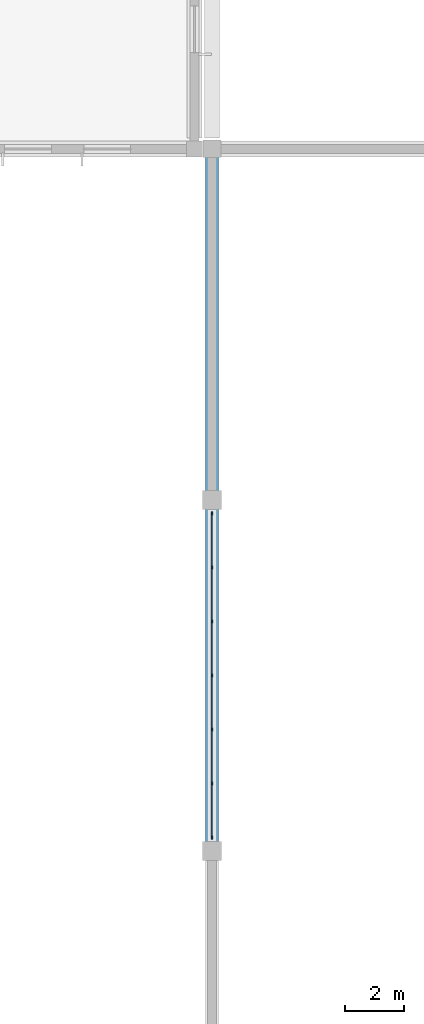
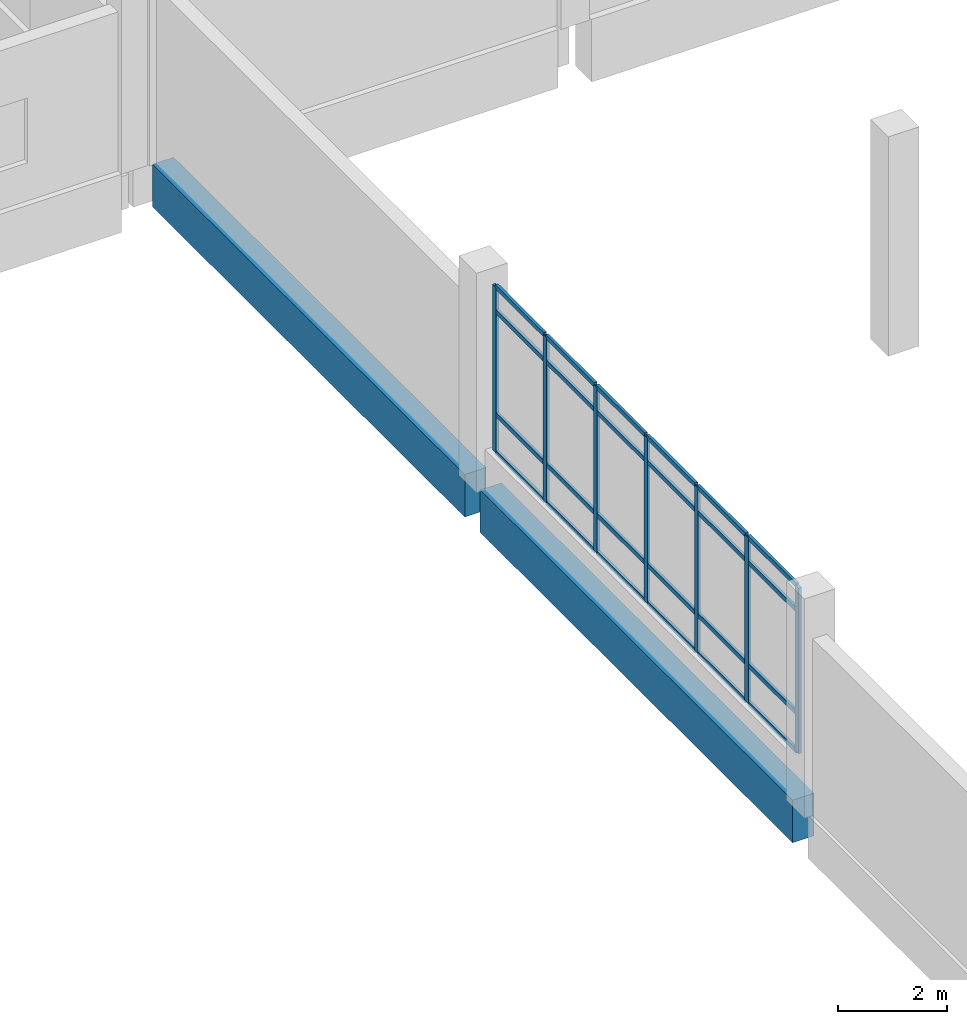
# One storey, part 13 of 63: 31 members, 2 beams, 1 element without a shape of its own.
"""IFC4 building model written with IfcOpenShell, lengths in metres."""

from ifc_helpers import new_model, si_unit, direction, frame, origin, origin_2d, place, context, subcontext, project, spatial, rectangle, extrude, material, layer, layer_set, material_profile, profile_set, type_object, element, aggregate, save


model = new_model("IFC4")

# Units and contexts
model_context = context("Model", 3, precision=1e-05, world=origin(), true_north=direction((0.0, 1.0)))
body_context = subcontext(model_context, "Body", "Model", "MODEL_VIEW")
ifc_project = project(units=[si_unit("LENGTHUNIT", "METRE"), si_unit("AREAUNIT", "SQUARE_METRE"), si_unit("VOLUMEUNIT", "CUBIC_METRE"), si_unit("PLANEANGLEUNIT", "RADIAN"), si_unit("MASSUNIT", "GRAM", prefix="KILO")], contexts=[model_context])

# Site, building, storey
site_placement = place(None, origin())
site = spatial("IfcSite", under=ifc_project, at=site_placement, CompositionType="ELEMENT")
building_placement = place(site_placement, origin())
building = spatial("IfcBuilding", under=site, at=building_placement, Name="Zacnel Wholesale Market", CompositionType="ELEMENT")
storey_placement = place(building_placement, frame((0.0, 0.0, 11.199951171875)))
storey = spatial("IfcBuildingStorey", under=building, at=storey_placement, Name="L03", CompositionType="ELEMENT", Elevation=11.199951171875)

# Beams
ifc_material_1 = material(Name="Precast concrete C45/55", Category="concrete")
ifc_material_profile_1 = material_profile(ifc_material_1, rectangle(XDim=0.449951171875, YDim=0.949951171875, at=origin_2d()), Name="PG 450x950")
ifc_profile_set_1 = profile_set([ifc_material_profile_1], Name="Precast concrete C45/55")
beam_type = type_object("IfcBeamType", Name="BM-PG950", PredefinedType="BEAM", material=ifc_profile_set_1)
for number, where, z_axis, x_axis, name in (
    (1, (144.300048828125, 108.280029296875, -0.474853515625), (0.0, 1.0, 0.0), (-1.0, 0.0, 0.0), "Crossing drum base girder Y-02"),
    (2, (144.300048828125, 120.280029296875, -0.474853515625), (0.0, 1.0, 0.0), (-1.0, 0.0, 0.0), "Crossing drum base girder Y-03"),
):
    element("IfcBeam", number, at=place(storey_placement, frame(where, z_axis=z_axis, x_axis=x_axis)), inside=storey, type_object=beam_type, Name=name, PredefinedType="BEAM", context=body_context, shape_type="SweptSolid", body=[
        extrude(rectangle(XDim=0.449951171875, YDim=0.949951171875, at=origin_2d()), origin(), (0.0, 0.0, 1.0), 11.43994140625),
    ])

# Curtain wall, members
ifc_material_2 = material(Name="Anodised aluminium", Category="aluminium")
ifc_layer = layer(ifc_material_2, 0.14990234375)
ifc_layer_set = layer_set([ifc_layer], Name="Anodised aluminium")
curtain_wall_type = type_object("IfcCurtainWallType", Name="CW-CLER-3600", PredefinedType="NOTDEFINED", material=ifc_layer_set)
curtain_wall_placement = place(storey_placement, origin())
curtain_wall = element("IfcCurtainWall", 3, at=curtain_wall_placement, inside=storey, type_object=curtain_wall_type, Name="Curtain wall ENV-CW-XDRUM-W-2", PredefinedType="NOTDEFINED")
ifc_material_3 = material(Name="Anodised aluminium", Category="aluminium")
ifc_material_profile_2 = material_profile(ifc_material_3, rectangle(XDim=0.06005859375, YDim=0.1298828125, at=origin_2d()), Name="AW-MULLION 60x130")
ifc_profile_set_2 = profile_set([ifc_material_profile_2], Name="Anodised aluminium")
member_type_1 = type_object("IfcMemberType", Name="CWM-MUL-06", PredefinedType="MULLION", material=ifc_profile_set_2)
member_1_placement = place(storey_placement, frame((144.300048828125, 108.4599609375, 0.900146484375), z_axis=(0.0, 0.0, 1.0), x_axis=(1.0, 0.0, 0.0)))
member_1 = element("IfcMember", 4, at=member_1_placement, type_object=member_type_1, Name="ENV-CW-XDRUM-W-2 mullion 01", PredefinedType="MULLION", context=body_context, shape_type="SweptSolid", body=[
    extrude(rectangle(XDim=0.06005859375, YDim=0.1298828125, at=origin_2d()), origin(), (0.0, 0.0, 1.0), 3.699951171875),
])
member_2_placement = place(storey_placement, frame((144.300048828125, 110.306640625, 0.900146484375), z_axis=(0.0, 0.0, 1.0), x_axis=(1.0, 0.0, 0.0)))
member_2 = element("IfcMember", 5, at=member_2_placement, type_object=member_type_1, Name="ENV-CW-XDRUM-W-2 mullion 02", PredefinedType="MULLION", context=body_context, shape_type="SweptSolid", body=[
    extrude(rectangle(XDim=0.06005859375, YDim=0.1298828125, at=origin_2d()), origin(), (0.0, 0.0, 1.0), 3.699951171875),
])
member_3_placement = place(storey_placement, frame((144.300048828125, 112.1533203125, 0.900146484375), z_axis=(0.0, 0.0, 1.0), x_axis=(1.0, 0.0, 0.0)))
member_3 = element("IfcMember", 6, at=member_3_placement, type_object=member_type_1, Name="ENV-CW-XDRUM-W-2 mullion 03", PredefinedType="MULLION", context=body_context, shape_type="SweptSolid", body=[
    extrude(rectangle(XDim=0.06005859375, YDim=0.1298828125, at=origin_2d()), origin(), (0.0, 0.0, 1.0), 3.699951171875),
])
member_4_placement = place(storey_placement, frame((144.300048828125, 114.0, 0.900146484375), z_axis=(0.0, 0.0, 1.0), x_axis=(1.0, 0.0, 0.0)))
member_4 = element("IfcMember", 7, at=member_4_placement, type_object=member_type_1, Name="ENV-CW-XDRUM-W-2 mullion 04", PredefinedType="MULLION", context=body_context, shape_type="SweptSolid", body=[
    extrude(rectangle(XDim=0.06005859375, YDim=0.1298828125, at=origin_2d()), origin(), (0.0, 0.0, 1.0), 3.699951171875),
])
member_5_placement = place(storey_placement, frame((144.300048828125, 115.8466796875, 0.900146484375), z_axis=(0.0, 0.0, 1.0), x_axis=(1.0, 0.0, 0.0)))
member_5 = element("IfcMember", 8, at=member_5_placement, type_object=member_type_1, Name="ENV-CW-XDRUM-W-2 mullion 05", PredefinedType="MULLION", context=body_context, shape_type="SweptSolid", body=[
    extrude(rectangle(XDim=0.06005859375, YDim=0.1298828125, at=origin_2d()), origin(), (0.0, 0.0, 1.0), 3.699951171875),
])
member_6_placement = place(storey_placement, frame((144.300048828125, 117.693359375, 0.900146484375), z_axis=(0.0, 0.0, 1.0), x_axis=(1.0, 0.0, 0.0)))
member_6 = element("IfcMember", 9, at=member_6_placement, type_object=member_type_1, Name="ENV-CW-XDRUM-W-2 mullion 06", PredefinedType="MULLION", context=body_context, shape_type="SweptSolid", body=[
    extrude(rectangle(XDim=0.06005859375, YDim=0.1298828125, at=origin_2d()), origin(), (0.0, 0.0, 1.0), 3.699951171875),
])
member_7_placement = place(storey_placement, frame((144.300048828125, 119.5400390625, 0.900146484375), z_axis=(0.0, 0.0, 1.0), x_axis=(1.0, 0.0, 0.0)))
member_7 = element("IfcMember", 10, at=member_7_placement, type_object=member_type_1, Name="ENV-CW-XDRUM-W-2 mullion 07", PredefinedType="MULLION", context=body_context, shape_type="SweptSolid", body=[
    extrude(rectangle(XDim=0.06005859375, YDim=0.1298828125, at=origin_2d()), origin(), (0.0, 0.0, 1.0), 3.699951171875),
])
ifc_material_4 = material(Name="Anodised aluminium", Category="aluminium")
ifc_material_profile_3 = material_profile(ifc_material_4, rectangle(XDim=0.06005859375, YDim=0.10009765625, at=origin_2d()), Name="AW-TRANSOM 60x100")
ifc_profile_set_3 = profile_set([ifc_material_profile_3], Name="Anodised aluminium")
member_type_2 = type_object("IfcMemberType", Name="CWM-TRN-06", PredefinedType="USERDEFINED", material=ifc_profile_set_3)
member_8_placement = place(storey_placement, frame((144.300048828125, 108.4951171875, 0.900146484375), z_axis=(0.0, 1.0, 0.0), x_axis=(-1.0, 0.0, 0.0)))
member_8 = element("IfcMember", 11, at=member_8_placement, type_object=member_type_2, Name="ENV-CW-XDRUM-W-2 transom 1-1", ObjectType="TRANSOM", PredefinedType="USERDEFINED", context=body_context, shape_type="SweptSolid", body=[
    extrude(rectangle(XDim=0.06005859375, YDim=0.10009765625, at=origin_2d()), origin(), (0.0, 0.0, 1.0), 1.776611328125),
])
member_9_placement = place(storey_placement, frame((144.300048828125, 108.4951171875, 1.75), z_axis=(0.0, 1.0, 0.0), x_axis=(-1.0, 0.0, 0.0)))
member_9 = element("IfcMember", 12, at=member_9_placement, type_object=member_type_2, Name="ENV-CW-XDRUM-W-2 transom 1-2", ObjectType="TRANSOM", PredefinedType="USERDEFINED", context=body_context, shape_type="SweptSolid", body=[
    extrude(rectangle(XDim=0.06005859375, YDim=0.10009765625, at=origin_2d()), origin(), (0.0, 0.0, 1.0), 1.776611328125),
])
member_10_placement = place(storey_placement, frame((144.300048828125, 108.4951171875, 4.050048828125), z_axis=(0.0, 1.0, 0.0), x_axis=(-1.0, 0.0, 0.0)))
member_10 = element("IfcMember", 13, at=member_10_placement, type_object=member_type_2, Name="ENV-CW-XDRUM-W-2 transom 1-3", ObjectType="TRANSOM", PredefinedType="USERDEFINED", context=body_context, shape_type="SweptSolid", body=[
    extrude(rectangle(XDim=0.06005859375, YDim=0.10009765625, at=origin_2d()), origin(), (0.0, 0.0, 1.0), 1.776611328125),
])
member_11_placement = place(storey_placement, frame((144.300048828125, 108.4951171875, 4.60009765625), z_axis=(0.0, 1.0, 0.0), x_axis=(-1.0, 0.0, 0.0)))
member_11 = element("IfcMember", 14, at=member_11_placement, type_object=member_type_2, Name="ENV-CW-XDRUM-W-2 transom 1-4", ObjectType="TRANSOM", PredefinedType="USERDEFINED", context=body_context, shape_type="SweptSolid", body=[
    extrude(rectangle(XDim=0.06005859375, YDim=0.10009765625, at=origin_2d()), origin(), (0.0, 0.0, 1.0), 1.776611328125),
])
member_12_placement = place(storey_placement, frame((144.300048828125, 110.341796875, 0.900146484375), z_axis=(0.0, 1.0, 0.0), x_axis=(-1.0, 0.0, 0.0)))
member_12 = element("IfcMember", 15, at=member_12_placement, type_object=member_type_2, Name="ENV-CW-XDRUM-W-2 transom 2-1", ObjectType="TRANSOM", PredefinedType="USERDEFINED", context=body_context, shape_type="SweptSolid", body=[
    extrude(rectangle(XDim=0.06005859375, YDim=0.10009765625, at=origin_2d()), origin(), (0.0, 0.0, 1.0), 1.776611328125),
])
member_13_placement = place(storey_placement, frame((144.300048828125, 110.341796875, 1.75), z_axis=(0.0, 1.0, 0.0), x_axis=(-1.0, 0.0, 0.0)))
member_13 = element("IfcMember", 16, at=member_13_placement, type_object=member_type_2, Name="ENV-CW-XDRUM-W-2 transom 2-2", ObjectType="TRANSOM", PredefinedType="USERDEFINED", context=body_context, shape_type="SweptSolid", body=[
    extrude(rectangle(XDim=0.06005859375, YDim=0.10009765625, at=origin_2d()), origin(), (0.0, 0.0, 1.0), 1.776611328125),
])
member_14_placement = place(storey_placement, frame((144.300048828125, 110.341796875, 4.050048828125), z_axis=(0.0, 1.0, 0.0), x_axis=(-1.0, 0.0, 0.0)))
member_14 = element("IfcMember", 17, at=member_14_placement, type_object=member_type_2, Name="ENV-CW-XDRUM-W-2 transom 2-3", ObjectType="TRANSOM", PredefinedType="USERDEFINED", context=body_context, shape_type="SweptSolid", body=[
    extrude(rectangle(XDim=0.06005859375, YDim=0.10009765625, at=origin_2d()), origin(), (0.0, 0.0, 1.0), 1.776611328125),
])
member_15_placement = place(storey_placement, frame((144.300048828125, 110.341796875, 4.60009765625), z_axis=(0.0, 1.0, 0.0), x_axis=(-1.0, 0.0, 0.0)))
member_15 = element("IfcMember", 18, at=member_15_placement, type_object=member_type_2, Name="ENV-CW-XDRUM-W-2 transom 2-4", ObjectType="TRANSOM", PredefinedType="USERDEFINED", context=body_context, shape_type="SweptSolid", body=[
    extrude(rectangle(XDim=0.06005859375, YDim=0.10009765625, at=origin_2d()), origin(), (0.0, 0.0, 1.0), 1.776611328125),
])
member_16_placement = place(storey_placement, frame((144.300048828125, 112.188232421875, 0.900146484375), z_axis=(0.0, 1.0, 0.0), x_axis=(-1.0, 0.0, 0.0)))
member_16 = element("IfcMember", 19, at=member_16_placement, type_object=member_type_2, Name="ENV-CW-XDRUM-W-2 transom 3-1", ObjectType="TRANSOM", PredefinedType="USERDEFINED", context=body_context, shape_type="SweptSolid", body=[
    extrude(rectangle(XDim=0.06005859375, YDim=0.10009765625, at=origin_2d()), origin(), (0.0, 0.0, 1.0), 1.77685546875),
])
member_17_placement = place(storey_placement, frame((144.300048828125, 112.188232421875, 1.75), z_axis=(0.0, 1.0, 0.0), x_axis=(-1.0, 0.0, 0.0)))
member_17 = element("IfcMember", 20, at=member_17_placement, type_object=member_type_2, Name="ENV-CW-XDRUM-W-2 transom 3-2", ObjectType="TRANSOM", PredefinedType="USERDEFINED", context=body_context, shape_type="SweptSolid", body=[
    extrude(rectangle(XDim=0.06005859375, YDim=0.10009765625, at=origin_2d()), origin(), (0.0, 0.0, 1.0), 1.77685546875),
])
member_18_placement = place(storey_placement, frame((144.300048828125, 112.188232421875, 4.050048828125), z_axis=(0.0, 1.0, 0.0), x_axis=(-1.0, 0.0, 0.0)))
member_18 = element("IfcMember", 21, at=member_18_placement, type_object=member_type_2, Name="ENV-CW-XDRUM-W-2 transom 3-3", ObjectType="TRANSOM", PredefinedType="USERDEFINED", context=body_context, shape_type="SweptSolid", body=[
    extrude(rectangle(XDim=0.06005859375, YDim=0.10009765625, at=origin_2d()), origin(), (0.0, 0.0, 1.0), 1.77685546875),
])
member_19_placement = place(storey_placement, frame((144.300048828125, 112.188232421875, 4.60009765625), z_axis=(0.0, 1.0, 0.0), x_axis=(-1.0, 0.0, 0.0)))
member_19 = element("IfcMember", 22, at=member_19_placement, type_object=member_type_2, Name="ENV-CW-XDRUM-W-2 transom 3-4", ObjectType="TRANSOM", PredefinedType="USERDEFINED", context=body_context, shape_type="SweptSolid", body=[
    extrude(rectangle(XDim=0.06005859375, YDim=0.10009765625, at=origin_2d()), origin(), (0.0, 0.0, 1.0), 1.77685546875),
])
member_20_placement = place(storey_placement, frame((144.300048828125, 114.034912109375, 0.900146484375), z_axis=(0.0, 1.0, 0.0), x_axis=(-1.0, 0.0, 0.0)))
member_20 = element("IfcMember", 23, at=member_20_placement, type_object=member_type_2, Name="ENV-CW-XDRUM-W-2 transom 4-1", ObjectType="TRANSOM", PredefinedType="USERDEFINED", context=body_context, shape_type="SweptSolid", body=[
    extrude(rectangle(XDim=0.06005859375, YDim=0.10009765625, at=origin_2d()), origin(), (0.0, 0.0, 1.0), 1.77685546875),
])
member_21_placement = place(storey_placement, frame((144.300048828125, 114.034912109375, 1.75), z_axis=(0.0, 1.0, 0.0), x_axis=(-1.0, 0.0, 0.0)))
member_21 = element("IfcMember", 24, at=member_21_placement, type_object=member_type_2, Name="ENV-CW-XDRUM-W-2 transom 4-2", ObjectType="TRANSOM", PredefinedType="USERDEFINED", context=body_context, shape_type="SweptSolid", body=[
    extrude(rectangle(XDim=0.06005859375, YDim=0.10009765625, at=origin_2d()), origin(), (0.0, 0.0, 1.0), 1.77685546875),
])
member_22_placement = place(storey_placement, frame((144.300048828125, 114.034912109375, 4.050048828125), z_axis=(0.0, 1.0, 0.0), x_axis=(-1.0, 0.0, 0.0)))
member_22 = element("IfcMember", 25, at=member_22_placement, type_object=member_type_2, Name="ENV-CW-XDRUM-W-2 transom 4-3", ObjectType="TRANSOM", PredefinedType="USERDEFINED", context=body_context, shape_type="SweptSolid", body=[
    extrude(rectangle(XDim=0.06005859375, YDim=0.10009765625, at=origin_2d()), origin(), (0.0, 0.0, 1.0), 1.77685546875),
])
member_23_placement = place(storey_placement, frame((144.300048828125, 114.034912109375, 4.60009765625), z_axis=(0.0, 1.0, 0.0), x_axis=(-1.0, 0.0, 0.0)))
member_23 = element("IfcMember", 26, at=member_23_placement, type_object=member_type_2, Name="ENV-CW-XDRUM-W-2 transom 4-4", ObjectType="TRANSOM", PredefinedType="USERDEFINED", context=body_context, shape_type="SweptSolid", body=[
    extrude(rectangle(XDim=0.06005859375, YDim=0.10009765625, at=origin_2d()), origin(), (0.0, 0.0, 1.0), 1.77685546875),
])
member_24_placement = place(storey_placement, frame((144.300048828125, 115.881591796875, 0.900146484375), z_axis=(0.0, 1.0, 0.0), x_axis=(-1.0, 0.0, 0.0)))
member_24 = element("IfcMember", 27, at=member_24_placement, type_object=member_type_2, Name="ENV-CW-XDRUM-W-2 transom 5-1", ObjectType="TRANSOM", PredefinedType="USERDEFINED", context=body_context, shape_type="SweptSolid", body=[
    extrude(rectangle(XDim=0.06005859375, YDim=0.10009765625, at=origin_2d()), origin(), (0.0, 0.0, 1.0), 1.776611328125),
])
member_25_placement = place(storey_placement, frame((144.300048828125, 115.881591796875, 1.75), z_axis=(0.0, 1.0, 0.0), x_axis=(-1.0, 0.0, 0.0)))
member_25 = element("IfcMember", 28, at=member_25_placement, type_object=member_type_2, Name="ENV-CW-XDRUM-W-2 transom 5-2", ObjectType="TRANSOM", PredefinedType="USERDEFINED", context=body_context, shape_type="SweptSolid", body=[
    extrude(rectangle(XDim=0.06005859375, YDim=0.10009765625, at=origin_2d()), origin(), (0.0, 0.0, 1.0), 1.776611328125),
])
member_26_placement = place(storey_placement, frame((144.300048828125, 115.881591796875, 4.050048828125), z_axis=(0.0, 1.0, 0.0), x_axis=(-1.0, 0.0, 0.0)))
member_26 = element("IfcMember", 29, at=member_26_placement, type_object=member_type_2, Name="ENV-CW-XDRUM-W-2 transom 5-3", ObjectType="TRANSOM", PredefinedType="USERDEFINED", context=body_context, shape_type="SweptSolid", body=[
    extrude(rectangle(XDim=0.06005859375, YDim=0.10009765625, at=origin_2d()), origin(), (0.0, 0.0, 1.0), 1.776611328125),
])
member_27_placement = place(storey_placement, frame((144.300048828125, 115.881591796875, 4.60009765625), z_axis=(0.0, 1.0, 0.0), x_axis=(-1.0, 0.0, 0.0)))
member_27 = element("IfcMember", 30, at=member_27_placement, type_object=member_type_2, Name="ENV-CW-XDRUM-W-2 transom 5-4", ObjectType="TRANSOM", PredefinedType="USERDEFINED", context=body_context, shape_type="SweptSolid", body=[
    extrude(rectangle(XDim=0.06005859375, YDim=0.10009765625, at=origin_2d()), origin(), (0.0, 0.0, 1.0), 1.776611328125),
])
member_28_placement = place(storey_placement, frame((144.300048828125, 117.728271484375, 0.900146484375), z_axis=(0.0, 1.0, 0.0), x_axis=(-1.0, 0.0, 0.0)))
member_28 = element("IfcMember", 31, at=member_28_placement, type_object=member_type_2, Name="ENV-CW-XDRUM-W-2 transom 6-1", ObjectType="TRANSOM", PredefinedType="USERDEFINED", context=body_context, shape_type="SweptSolid", body=[
    extrude(rectangle(XDim=0.06005859375, YDim=0.10009765625, at=origin_2d()), origin(), (0.0, 0.0, 1.0), 1.776611328125),
])
member_29_placement = place(storey_placement, frame((144.300048828125, 117.728271484375, 1.75), z_axis=(0.0, 1.0, 0.0), x_axis=(-1.0, 0.0, 0.0)))
member_29 = element("IfcMember", 32, at=member_29_placement, type_object=member_type_2, Name="ENV-CW-XDRUM-W-2 transom 6-2", ObjectType="TRANSOM", PredefinedType="USERDEFINED", context=body_context, shape_type="SweptSolid", body=[
    extrude(rectangle(XDim=0.06005859375, YDim=0.10009765625, at=origin_2d()), origin(), (0.0, 0.0, 1.0), 1.776611328125),
])
member_30_placement = place(storey_placement, frame((144.300048828125, 117.728271484375, 4.050048828125), z_axis=(0.0, 1.0, 0.0), x_axis=(-1.0, 0.0, 0.0)))
member_30 = element("IfcMember", 33, at=member_30_placement, type_object=member_type_2, Name="ENV-CW-XDRUM-W-2 transom 6-3", ObjectType="TRANSOM", PredefinedType="USERDEFINED", context=body_context, shape_type="SweptSolid", body=[
    extrude(rectangle(XDim=0.06005859375, YDim=0.10009765625, at=origin_2d()), origin(), (0.0, 0.0, 1.0), 1.776611328125),
])
member_31_placement = place(storey_placement, frame((144.300048828125, 117.728271484375, 4.60009765625), z_axis=(0.0, 1.0, 0.0), x_axis=(-1.0, 0.0, 0.0)))
member_31 = element("IfcMember", 34, at=member_31_placement, type_object=member_type_2, Name="ENV-CW-XDRUM-W-2 transom 6-4", ObjectType="TRANSOM", PredefinedType="USERDEFINED", context=body_context, shape_type="SweptSolid", body=[
    extrude(rectangle(XDim=0.06005859375, YDim=0.10009765625, at=origin_2d()), origin(), (0.0, 0.0, 1.0), 1.776611328125),
])
aggregate(curtain_wall, [member_1, member_2, member_3, member_4, member_5, member_6, member_7, member_8, member_9, member_10, member_11, member_12, member_13, member_14, member_15, member_16, member_17, member_18, member_19, member_20, member_21, member_22, member_23, member_24, member_25, member_26, member_27, member_28, member_29, member_30, member_31])

save(model, "model.ifc")
